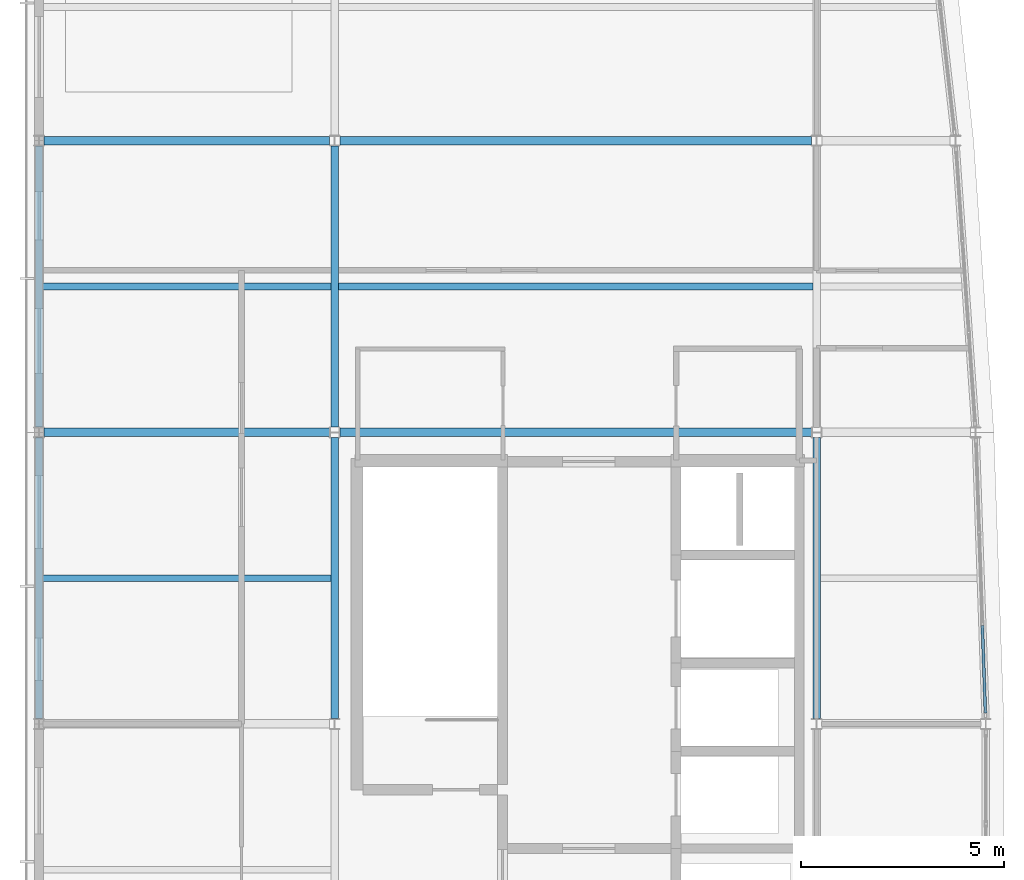
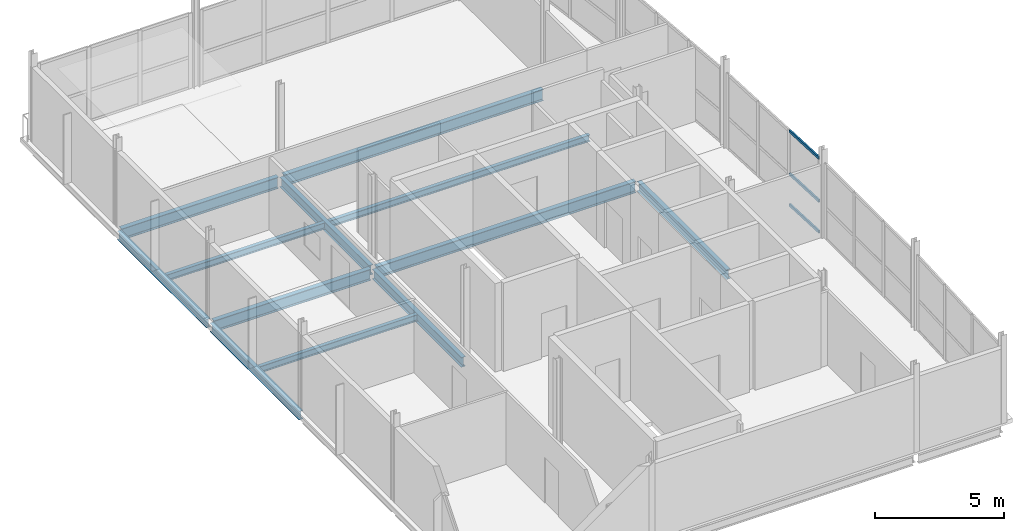
# One storey, part 4 of 14: 12 beams, 3 members, 1 element without a shape of its own.
"""IFC4 building model written with IfcOpenShell, lengths in metres."""

from ifc_helpers import new_model, si_unit, direction, frame, origin, origin_2d, place, context, subcontext, project, spatial, hollow_rectangle, i_section, extrude, material, layer, layer_set, material_profile, profile_set, type_object, element, aggregate, save


model = new_model("IFC4")

# Units and contexts
model_context = context("Model", 3, precision=1e-05, world=origin(), true_north=direction((0.0, 1.0)))
body_context = subcontext(model_context, "Body", "Model", "MODEL_VIEW")
ifc_project = project(units=[si_unit("LENGTHUNIT", "METRE"), si_unit("AREAUNIT", "SQUARE_METRE"), si_unit("VOLUMEUNIT", "CUBIC_METRE"), si_unit("PLANEANGLEUNIT", "RADIAN"), si_unit("MASSUNIT", "GRAM", prefix="KILO")], contexts=[model_context])

# Site, building, storey
site_placement = place(None, origin())
site = spatial("IfcSite", under=ifc_project, at=site_placement, CompositionType="ELEMENT")
building_placement = place(site_placement, origin())
building = spatial("IfcBuilding", under=site, at=building_placement, Name="Quillay Park Conservatory", CompositionType="ELEMENT")
storey_placement = place(building_placement, frame((0.0, 0.0, 64.5)))
storey = spatial("IfcBuildingStorey", under=building, at=storey_placement, Name="L15", CompositionType="ELEMENT", Elevation=64.5)

# Beams
ifc_material_1 = material(Name="Steel ASTM A992 Grade 50", Category="steel")
ifc_material_profile_1 = material_profile(ifc_material_1, i_section(OverallWidth=0.166015625, OverallDepth=0.31298828125, WebThickness=0.006591796875, FlangeThickness=0.01123046875, FilletRadius=0.010009765625, at=origin_2d()), Name="W310x45")
ifc_profile_set_1 = profile_set([ifc_material_profile_1], Name="Steel ASTM A992 Grade 50")
beam_type_1 = type_object("IfcBeamType", Name="COMPOSITE FLOOR JOIST W310 X45", PredefinedType="JOIST", material=ifc_profile_set_1)
for number, where, z_axis, x_axis, name in (
    (1, (0.639892578125, 96.0, -0.3564453125), (1.0, 0.0, 0.0), (0.0, 1.0, 0.0), "L15 beam BM-J-1032"),
    (2, (0.639892578125, 103.199951171875, -0.3564453125), (1.0, 0.0, 0.0), (0.0, 1.0, 0.0), "L15 beam BM-J-1038"),
):
    element("IfcBeam", number, at=place(storey_placement, frame(where, z_axis=z_axis, x_axis=x_axis)), inside=storey, type_object=beam_type_1, Name=name, PredefinedType="JOIST", context=body_context, shape_type="SweptSolid", body=[
        extrude(i_section(OverallWidth=0.166015625, OverallDepth=0.31298828125, WebThickness=0.006591796875, FlangeThickness=0.01123046875, FilletRadius=0.010009765625, at=origin_2d()), origin(), (0.0, 0.0, 1.0), 7.114013671875),
    ])
beam_1_placement = place(storey_placement, frame((7.946044921875, 103.199951171875, -0.3564453125), z_axis=(1.0, 0.0, 0.0), x_axis=(0.0, 1.0, 0.0)))
element("IfcBeam", 3, at=beam_1_placement, inside=storey, type_object=beam_type_1, Name="L15 beam BM-J-1040", PredefinedType="JOIST", context=body_context, shape_type="SweptSolid", body=[
    extrude(i_section(OverallWidth=0.166015625, OverallDepth=0.31298828125, WebThickness=0.006591796875, FlangeThickness=0.01123046875, FilletRadius=0.010009765625, at=origin_2d()), origin(), (0.0, 0.0, 1.0), 11.7080078125),
])

# Curtain wall, members
ifc_material_2 = material(Name="Thermally Broken Anodised Aluminium 6063-T6", Category="aluminium")
ifc_layer = layer(ifc_material_2, 0.179931640625)
ifc_layer_set = layer_set([ifc_layer], Name="UNITISED CURTAIN WALL TOWER (Thermally Broken Anodised Aluminium 6063-T6)")
curtain_wall_type = type_object("IfcCurtainWallType", Name="UNITISED CURTAIN WALL TOWER", PredefinedType="USERDEFINED", material=ifc_layer_set)
curtain_wall_placement = place(storey_placement, origin())
curtain_wall = element("IfcCurtainWall", 4, at=curtain_wall_placement, inside=storey, type_object=curtain_wall_type, Name="L15 Unitised Curtain Wall 141", ObjectType="UNITISED CURTAIN WALL", PredefinedType="USERDEFINED")
ifc_material_3 = material(Name="Thermally Broken Anodised Aluminium 6063-T6", Category="aluminium")
ifc_material_profile_2 = material_profile(ifc_material_3, hollow_rectangle(XDim=0.070068359375, YDim=0.1298828125, WallThickness=0.003173828125, at=origin_2d()), Name="AL70x130x3.2")
ifc_profile_set_2 = profile_set([ifc_material_profile_2], Name="Thermally Broken Anodised Aluminium 6063-T6")
member_type = type_object("IfcMemberType", Name="CURTAIN WALL TRANSOM 70 X130", PredefinedType="USERDEFINED", material=ifc_profile_set_2)
member_1_placement = place(storey_placement, frame((23.840576171875, 94.83154296875, 0.034912109375), z_axis=(0.034765508592, -0.999395496994, 0.0), x_axis=(0.999395496994, 0.034765508592, 0.0)))
member_1 = element("IfcMember", 5, at=member_1_placement, type_object=member_type, Name="CW-T1 transom 3.1", ObjectType="TRANSOM", PredefinedType="USERDEFINED", context=body_context, shape_type="SweptSolid", body=[
    extrude(hollow_rectangle(XDim=0.070068359375, YDim=0.1298828125, WallThickness=0.003173828125, at=origin_2d()), origin(), (0.0, 0.0, 1.0), 2.162841796875),
])
member_2_placement = place(storey_placement, frame((23.840576171875, 94.83154296875, 1.501220703125), z_axis=(0.034765508592, -0.999395496994, 0.0), x_axis=(0.999395496994, 0.034765508592, 0.0)))
member_2 = element("IfcMember", 6, at=member_2_placement, type_object=member_type, Name="CW-T1 transom 3.2", ObjectType="TRANSOM", PredefinedType="USERDEFINED", context=body_context, shape_type="SweptSolid", body=[
    extrude(hollow_rectangle(XDim=0.070068359375, YDim=0.1298828125, WallThickness=0.003173828125, at=origin_2d()), origin(), (0.0, 0.0, 1.0), 2.162841796875),
])
member_3_placement = place(storey_placement, frame((23.840576171875, 94.83154296875, 3.5390625), z_axis=(0.034765508592, -0.999395496994, 0.0), x_axis=(0.999395496994, 0.034765508592, 0.0)))
member_3 = element("IfcMember", 7, at=member_3_placement, type_object=member_type, Name="CW-T1 transom 3.3", ObjectType="TRANSOM", PredefinedType="USERDEFINED", context=body_context, shape_type="SweptSolid", body=[
    extrude(hollow_rectangle(XDim=0.070068359375, YDim=0.1298828125, WallThickness=0.003173828125, at=origin_2d()), origin(), (0.0, 0.0, 1.0), 2.162841796875),
])
aggregate(curtain_wall, [member_1, member_2, member_3])

# Beams
ifc_material_4 = material(Name="Steel ASTM A992 Grade 50", Category="steel")
ifc_material_profile_3 = material_profile(ifc_material_4, i_section(OverallWidth=0.179931640625, OverallDepth=0.4130859375, WebThickness=0.009765625, FlangeThickness=0.01611328125, FilletRadius=0.011962890625, at=origin_2d()), Name="W410x74")
ifc_profile_set_3 = profile_set([ifc_material_profile_3], Name="Steel ASTM A992 Grade 50")
beam_type_2 = type_object("IfcBeamType", Name="PERIMETER SPANDREL BEAM W410 X74", PredefinedType="SPANDREL", material=ifc_profile_set_3)
for number, where, z_axis, x_axis, name in (
    (8, (0.550048828125, 92.530029296875, -0.406494140625), (0.0, 1.0, 0.0), (-1.0, 0.0, 0.0), "L15 beam BM-SPW-1028"),
    (9, (0.550048828125, 99.72998046875, -0.406494140625), (0.0, 1.0, 0.0), (-1.0, 0.0, 0.0), "L15 beam BM-SPW-1034"),
):
    element("IfcBeam", number, at=place(storey_placement, frame(where, z_axis=z_axis, x_axis=x_axis)), inside=storey, type_object=beam_type_2, Name=name, PredefinedType="SPANDREL", context=body_context, shape_type="SweptSolid", body=[
        extrude(i_section(OverallWidth=0.179931640625, OverallDepth=0.4130859375, WebThickness=0.009765625, FlangeThickness=0.01611328125, FilletRadius=0.011962890625, at=origin_2d()), origin(), (0.0, 0.0, 1.0), 6.93994140625),
    ])
ifc_material_5 = material(Name="Steel ASTM A992 Grade 50", Category="steel")
ifc_material_profile_4 = material_profile(ifc_material_5, i_section(OverallWidth=0.19189453125, OverallDepth=0.462890625, WebThickness=0.010498046875, FlangeThickness=0.017578125, FilletRadius=0.012939453125, at=origin_2d()), Name="W460x89")
ifc_profile_set_4 = profile_set([ifc_material_profile_4], Name="Steel ASTM A992 Grade 50")
beam_type_3 = type_object("IfcBeamType", Name="PRIMARY FLOOR GIRDER W460 X89", PredefinedType="BEAM", material=ifc_profile_set_4)
for number, where, z_axis, x_axis, name in (
    (10, (7.85009765625, 92.530029296875, -0.431396484375), (0.0, 1.0, 0.0), (-1.0, 0.0, 0.0), "L15 beam BM-GNS-1030"),
    (11, (19.75, 92.530029296875, -0.431396484375), (0.0, 1.0, 0.0), (-1.0, 0.0, 0.0), "L15 beam BM-GNS-1031"),
    (12, (7.85009765625, 99.72802734375, -0.431396484375), (0.0, 1.0, 0.0), (-1.0, 0.0, 0.0), "L15 beam BM-GNS-1036"),
):
    element("IfcBeam", number, at=place(storey_placement, frame(where, z_axis=z_axis, x_axis=x_axis)), inside=storey, type_object=beam_type_3, Name=name, PredefinedType="BEAM", context=body_context, shape_type="SweptSolid", body=[
        extrude(i_section(OverallWidth=0.19189453125, OverallDepth=0.462890625, WebThickness=0.010498046875, FlangeThickness=0.017578125, FilletRadius=0.012939453125, at=origin_2d()), origin(), (0.0, 0.0, 1.0), 6.94189453125),
    ])
ifc_material_6 = material(Name="Steel ASTM A992 Grade 50", Category="steel")
ifc_material_profile_5 = material_profile(ifc_material_6, i_section(OverallWidth=0.2109375, OverallDepth=0.5390625, WebThickness=0.01171875, FlangeThickness=0.018798828125, FilletRadius=0.013916015625, at=origin_2d()), Name="W530x109")
ifc_profile_set_5 = profile_set([ifc_material_profile_5], Name="Steel ASTM A992 Grade 50")
beam_type_4 = type_object("IfcBeamType", Name="PRIMARY FLOOR GIRDER W530 X109", PredefinedType="BEAM", material=ifc_profile_set_5)
beam_2_placement = place(storey_placement, frame((0.677978515625, 99.60009765625, -0.469482421875), z_axis=(1.0, 0.0, 0.0), x_axis=(0.0, 1.0, 0.0)))
element("IfcBeam", 13, at=beam_2_placement, inside=storey, type_object=beam_type_4, Name="L15 beam BM-G-1007", PredefinedType="BEAM", context=body_context, shape_type="SweptSolid", body=[
    extrude(i_section(OverallWidth=0.2109375, OverallDepth=0.5390625, WebThickness=0.01171875, FlangeThickness=0.018798828125, FilletRadius=0.013916015625, at=origin_2d()), origin(), (0.0, 0.0, 1.0), 7.0419921875),
])
beam_3_placement = place(storey_placement, frame((7.97998046875, 99.60009765625, -0.469482421875), z_axis=(1.0, 0.0, 0.0), x_axis=(0.0, 1.0, 0.0)))
element("IfcBeam", 14, at=beam_3_placement, inside=storey, type_object=beam_type_4, Name="L15 beam BM-G-1008", PredefinedType="BEAM", context=body_context, shape_type="SweptSolid", body=[
    extrude(i_section(OverallWidth=0.2109375, OverallDepth=0.5390625, WebThickness=0.01171875, FlangeThickness=0.018798828125, FilletRadius=0.013916015625, at=origin_2d()), origin(), (0.0, 0.0, 1.0), 11.64013671875),
])
beam_4_placement = place(storey_placement, frame((0.677978515625, 106.800048828125, -0.469482421875), z_axis=(1.0, 0.0, 0.0), x_axis=(0.0, 1.0, 0.0)))
element("IfcBeam", 15, at=beam_4_placement, inside=storey, type_object=beam_type_4, Name="L15 beam BM-G-1010", PredefinedType="BEAM", context=body_context, shape_type="SweptSolid", body=[
    extrude(i_section(OverallWidth=0.2109375, OverallDepth=0.5390625, WebThickness=0.01171875, FlangeThickness=0.018798828125, FilletRadius=0.013916015625, at=origin_2d()), origin(), (0.0, 0.0, 1.0), 7.0439453125),
])
beam_5_placement = place(storey_placement, frame((7.97802734375, 106.800048828125, -0.469482421875), z_axis=(1.0, 0.0, 0.0), x_axis=(0.0, 1.0, 0.0)))
element("IfcBeam", 16, at=beam_5_placement, inside=storey, type_object=beam_type_4, Name="L15 beam BM-G-1011", PredefinedType="BEAM", context=body_context, shape_type="SweptSolid", body=[
    extrude(i_section(OverallWidth=0.2109375, OverallDepth=0.5390625, WebThickness=0.01171875, FlangeThickness=0.018798828125, FilletRadius=0.013916015625, at=origin_2d()), origin(), (0.0, 0.0, 1.0), 11.64404296875),
])

save(model, "model.ifc")
